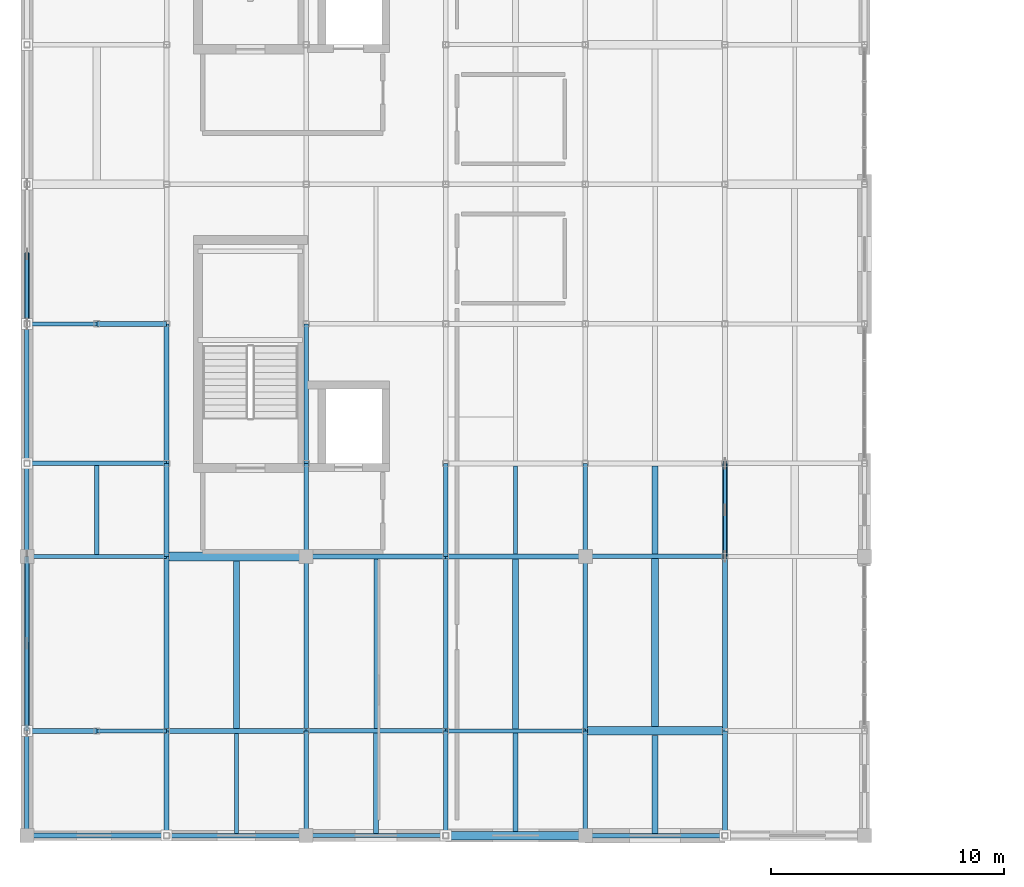
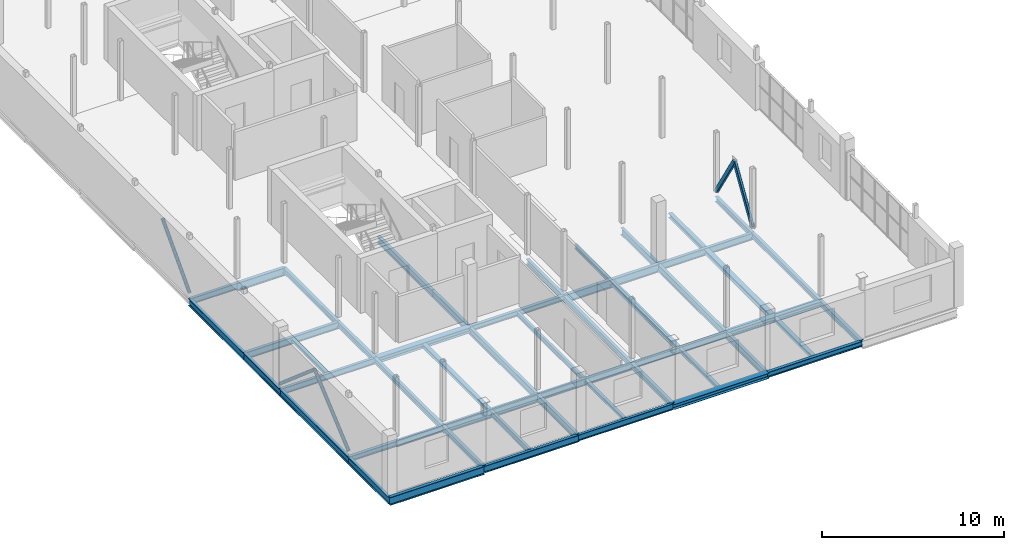
# One storey, part 11 of 35: 51 beams, 5 members.
"""IFC4 building model written with IfcOpenShell, lengths in metres."""

from ifc_helpers import new_model, si_unit, direction, frame, origin, origin_2d, place, context, subcontext, project, spatial, hollow_rectangle, hollow_circle, i_section, extrude, material, material_profile, profile_set, type_object, element, save


model = new_model("IFC4")

# Units and contexts
model_context = context("Model", 3, precision=1e-05, world=origin(), true_north=direction((0.0, 1.0)))
body_context = subcontext(model_context, "Body", "Model", "MODEL_VIEW")
ifc_project = project(units=[si_unit("LENGTHUNIT", "METRE"), si_unit("AREAUNIT", "SQUARE_METRE"), si_unit("VOLUMEUNIT", "CUBIC_METRE"), si_unit("PLANEANGLEUNIT", "RADIAN"), si_unit("MASSUNIT", "GRAM", prefix="KILO")], contexts=[model_context])

# Site, building, storey
site_placement = place(None, origin())
site = spatial("IfcSite", under=ifc_project, at=site_placement, CompositionType="ELEMENT")
building_placement = place(site_placement, origin())
building = spatial("IfcBuilding", under=site, at=building_placement, Name="Verrall Gate Interchange", CompositionType="ELEMENT")
storey_placement = place(building_placement, frame((0.0, 0.0, 15.39990234375)))
storey = spatial("IfcBuildingStorey", under=building, at=storey_placement, Name="L04", CompositionType="ELEMENT", Elevation=15.39990234375)

# Beams
ifc_material_1 = material(Name="Structural Steel CSA G40.21 350W", Category="steel")
ifc_material_profile_1 = material_profile(ifc_material_1, i_section(OverallWidth=0.2109375, OverallDepth=0.5390625, WebThickness=0.01171875, FlangeThickness=0.018798828125, FilletRadius=0.013916015625, at=origin_2d()), Name="W530x109")
ifc_profile_set_1 = profile_set([ifc_material_profile_1], Name="Structural Steel CSA G40.21 350W")
beam_type_1 = type_object("IfcBeamType", Name="B-10 Structural Beam W530x109", PredefinedType="BEAM", material=ifc_profile_set_1)
for number, where, z_axis, x_axis, name in (
    (1, (0.0, 0.0, -0.599365234375), (1.0, 0.0, 0.0), (0.0, 1.0, 0.0), "L04 Girder BM-L04-2515 (B-10)"),
    (2, (6.0, 4.5, -0.599365234375), (1.0, 0.0, 0.0), (0.0, 1.0, 0.0), "L04 Girder BM-L04-2523 (B-10)"),
    (3, (18.0, 12.0, -0.599365234375), (1.0, 0.0, 0.0), (0.0, 1.0, 0.0), "L04 Girder BM-L04-2531 (B-10)"),
):
    element("IfcBeam", number, at=place(storey_placement, frame(where, z_axis=z_axis, x_axis=x_axis)), inside=storey, type_object=beam_type_1, Name=name, PredefinedType="BEAM", context=body_context, shape_type="SweptSolid", body=[
        extrude(i_section(OverallWidth=0.2109375, OverallDepth=0.5390625, WebThickness=0.01171875, FlangeThickness=0.018798828125, FilletRadius=0.013916015625, at=origin_2d()), origin(), (0.0, 0.0, 1.0), 6.0),
    ])
beam_1_placement = place(storey_placement, frame((3.0, 22.0, -0.599365234375), z_axis=(1.0, 0.0, 0.0), x_axis=(0.0, 1.0, 0.0)))
element("IfcBeam", 4, at=beam_1_placement, inside=storey, type_object=beam_type_1, Name="L04 Girder BM-L04-2551 (B-10)", PredefinedType="BEAM", context=body_context, shape_type="SweptSolid", body=[
    extrude(i_section(OverallWidth=0.2109375, OverallDepth=0.5390625, WebThickness=0.01171875, FlangeThickness=0.018798828125, FilletRadius=0.013916015625, at=origin_2d()), origin(), (0.0, 0.0, 1.0), 3.0),
])
ifc_material_2 = material(Name="Structural Steel CSA G40.21 350W", Category="steel")
ifc_material_profile_2 = material_profile(ifc_material_2, i_section(OverallWidth=0.19189453125, OverallDepth=0.462890625, WebThickness=0.010498046875, FlangeThickness=0.017578125, FilletRadius=0.012939453125, at=origin_2d()), Name="W460x89")
ifc_profile_set_2 = profile_set([ifc_material_profile_2], Name="Structural Steel CSA G40.21 350W")
beam_type_2 = type_object("IfcBeamType", Name="B-11 Structural Beam W460x89", PredefinedType="BEAM", material=ifc_profile_set_2)
for number, where, z_axis, x_axis, name in (
    (5, (6.0, 0.0, -0.5615234375), (1.0, 0.0, 0.0), (0.0, 1.0, 0.0), "L04 Girder BM-L04-2516 (B-11)"),
    (6, (12.0, 4.5, -0.5615234375), (1.0, 0.0, 0.0), (0.0, 1.0, 0.0), "L04 Girder BM-L04-2524 (B-11)"),
    (7, (24.0, 12.0, -0.5615234375), (1.0, 0.0, 0.0), (0.0, 1.0, 0.0), "L04 Girder BM-L04-2532 (B-11)"),
    (8, (0.0, 16.0, -0.5615234375), (1.0, 0.0, 0.0), (0.0, 1.0, 0.0), "L04 Girder BM-L04-2540 (B-11)"),
):
    element("IfcBeam", number, at=place(storey_placement, frame(where, z_axis=z_axis, x_axis=x_axis)), inside=storey, type_object=beam_type_2, Name=name, PredefinedType="BEAM", context=body_context, shape_type="SweptSolid", body=[
        extrude(i_section(OverallWidth=0.19189453125, OverallDepth=0.462890625, WebThickness=0.010498046875, FlangeThickness=0.017578125, FilletRadius=0.012939453125, at=origin_2d()), origin(), (0.0, 0.0, 1.0), 6.0),
    ])
beam_2_placement = place(storey_placement, frame((0.0, 0.0, -0.5615234375), z_axis=(0.0, 1.0, 0.0), x_axis=(-1.0, 0.0, 0.0)))
element("IfcBeam", 9, at=beam_2_placement, inside=storey, type_object=beam_type_2, Name="L04 Girder BM-L04-2631 (B-11)", PredefinedType="BEAM", context=body_context, shape_type="SweptSolid", body=[
    extrude(i_section(OverallWidth=0.19189453125, OverallDepth=0.462890625, WebThickness=0.010498046875, FlangeThickness=0.017578125, FilletRadius=0.012939453125, at=origin_2d()), origin(), (0.0, 0.0, 1.0), 4.5),
])
beam_3_placement = place(storey_placement, frame((0.0, 4.5, -0.5615234375), z_axis=(0.0, 1.0, 0.0), x_axis=(-1.0, 0.0, 0.0)))
element("IfcBeam", 10, at=beam_3_placement, inside=storey, type_object=beam_type_2, Name="L04 Girder BM-L04-2632 (B-11)", PredefinedType="BEAM", context=body_context, shape_type="SweptSolid", body=[
    extrude(i_section(OverallWidth=0.19189453125, OverallDepth=0.462890625, WebThickness=0.010498046875, FlangeThickness=0.017578125, FilletRadius=0.012939453125, at=origin_2d()), origin(), (0.0, 0.0, 1.0), 7.5),
])
beam_4_placement = place(storey_placement, frame((0.0, 12.0, -0.5615234375), z_axis=(0.0, 1.0, 0.0), x_axis=(-1.0, 0.0, 0.0)))
element("IfcBeam", 11, at=beam_4_placement, inside=storey, type_object=beam_type_2, Name="L04 Girder BM-L04-2633 (B-11)", PredefinedType="BEAM", context=body_context, shape_type="SweptSolid", body=[
    extrude(i_section(OverallWidth=0.19189453125, OverallDepth=0.462890625, WebThickness=0.010498046875, FlangeThickness=0.017578125, FilletRadius=0.012939453125, at=origin_2d()), origin(), (0.0, 0.0, 1.0), 4.0),
])
beam_5_placement = place(storey_placement, frame((0.0, 16.0, -0.5615234375), z_axis=(0.0, 1.0, 0.0), x_axis=(-1.0, 0.0, 0.0)))
element("IfcBeam", 12, at=beam_5_placement, inside=storey, type_object=beam_type_2, Name="L04 Girder BM-L04-2634 (B-11)", PredefinedType="BEAM", context=body_context, shape_type="SweptSolid", body=[
    extrude(i_section(OverallWidth=0.19189453125, OverallDepth=0.462890625, WebThickness=0.010498046875, FlangeThickness=0.017578125, FilletRadius=0.012939453125, at=origin_2d()), origin(), (0.0, 0.0, 1.0), 6.0),
])
beam_6_placement = place(storey_placement, frame((12.0, 0.0, -0.5615234375), z_axis=(0.0, 1.0, 0.0), x_axis=(-1.0, 0.0, 0.0)))
element("IfcBeam", 13, at=beam_6_placement, inside=storey, type_object=beam_type_2, Name="L04 Girder BM-L04-2658 (B-11)", PredefinedType="BEAM", context=body_context, shape_type="SweptSolid", body=[
    extrude(i_section(OverallWidth=0.19189453125, OverallDepth=0.462890625, WebThickness=0.010498046875, FlangeThickness=0.017578125, FilletRadius=0.012939453125, at=origin_2d()), origin(), (0.0, 0.0, 1.0), 4.5),
])
beam_7_placement = place(storey_placement, frame((12.0, 4.5, -0.5615234375), z_axis=(0.0, 1.0, 0.0), x_axis=(-1.0, 0.0, 0.0)))
element("IfcBeam", 14, at=beam_7_placement, inside=storey, type_object=beam_type_2, Name="L04 Girder BM-L04-2659 (B-11)", PredefinedType="BEAM", context=body_context, shape_type="SweptSolid", body=[
    extrude(i_section(OverallWidth=0.19189453125, OverallDepth=0.462890625, WebThickness=0.010498046875, FlangeThickness=0.017578125, FilletRadius=0.012939453125, at=origin_2d()), origin(), (0.0, 0.0, 1.0), 7.5),
])
beam_8_placement = place(storey_placement, frame((12.0, 12.0, -0.5615234375), z_axis=(0.0, 1.0, 0.0), x_axis=(-1.0, 0.0, 0.0)))
element("IfcBeam", 15, at=beam_8_placement, inside=storey, type_object=beam_type_2, Name="L04 Girder BM-L04-2660 (B-11)", PredefinedType="BEAM", context=body_context, shape_type="SweptSolid", body=[
    extrude(i_section(OverallWidth=0.19189453125, OverallDepth=0.462890625, WebThickness=0.010498046875, FlangeThickness=0.017578125, FilletRadius=0.012939453125, at=origin_2d()), origin(), (0.0, 0.0, 1.0), 4.0),
])
beam_9_placement = place(storey_placement, frame((12.0, 16.0, -0.5615234375), z_axis=(0.0, 1.0, 0.0), x_axis=(-1.0, 0.0, 0.0)))
element("IfcBeam", 16, at=beam_9_placement, inside=storey, type_object=beam_type_2, Name="L04 Girder BM-L04-2661 (B-11)", PredefinedType="BEAM", context=body_context, shape_type="SweptSolid", body=[
    extrude(i_section(OverallWidth=0.19189453125, OverallDepth=0.462890625, WebThickness=0.010498046875, FlangeThickness=0.017578125, FilletRadius=0.012939453125, at=origin_2d()), origin(), (0.0, 0.0, 1.0), 6.0),
])
beam_10_placement = place(storey_placement, frame((24.0, 0.0, -0.5615234375), z_axis=(0.0, 1.0, 0.0), x_axis=(-1.0, 0.0, 0.0)))
element("IfcBeam", 17, at=beam_10_placement, inside=storey, type_object=beam_type_2, Name="L04 Girder BM-L04-2684 (B-11)", PredefinedType="BEAM", context=body_context, shape_type="SweptSolid", body=[
    extrude(i_section(OverallWidth=0.19189453125, OverallDepth=0.462890625, WebThickness=0.010498046875, FlangeThickness=0.017578125, FilletRadius=0.012939453125, at=origin_2d()), origin(), (0.0, 0.0, 1.0), 4.5),
])
beam_11_placement = place(storey_placement, frame((24.0, 4.5, -0.5615234375), z_axis=(0.0, 1.0, 0.0), x_axis=(-1.0, 0.0, 0.0)))
element("IfcBeam", 18, at=beam_11_placement, inside=storey, type_object=beam_type_2, Name="L04 Girder BM-L04-2685 (B-11)", PredefinedType="BEAM", context=body_context, shape_type="SweptSolid", body=[
    extrude(i_section(OverallWidth=0.19189453125, OverallDepth=0.462890625, WebThickness=0.010498046875, FlangeThickness=0.017578125, FilletRadius=0.012939453125, at=origin_2d()), origin(), (0.0, 0.0, 1.0), 7.5),
])
beam_12_placement = place(storey_placement, frame((24.0, 12.0, -0.5615234375), z_axis=(0.0, 1.0, 0.0), x_axis=(-1.0, 0.0, 0.0)))
element("IfcBeam", 19, at=beam_12_placement, inside=storey, type_object=beam_type_2, Name="L04 Girder BM-L04-2686 (B-11)", PredefinedType="BEAM", context=body_context, shape_type="SweptSolid", body=[
    extrude(i_section(OverallWidth=0.19189453125, OverallDepth=0.462890625, WebThickness=0.010498046875, FlangeThickness=0.017578125, FilletRadius=0.012939453125, at=origin_2d()), origin(), (0.0, 0.0, 1.0), 4.0),
])
ifc_material_3 = material(Name="Structural Steel CSA G40.21 350W", Category="steel")
ifc_material_profile_3 = material_profile(ifc_material_3, i_section(OverallWidth=0.178955078125, OverallDepth=0.409912109375, WebThickness=0.0087890625, FlangeThickness=0.014404296875, FilletRadius=0.011962890625, at=origin_2d()), Name="W410x67")
ifc_profile_set_3 = profile_set([ifc_material_profile_3], Name="Structural Steel CSA G40.21 350W")
beam_type_3 = type_object("IfcBeamType", Name="B-12 Structural Beam W410x67", PredefinedType="BEAM", material=ifc_profile_set_3)
beam_13_placement = place(storey_placement, frame((12.0, 0.0, -0.534912109375), z_axis=(1.0, 0.0, 0.0), x_axis=(0.0, 1.0, 0.0)))
element("IfcBeam", 20, at=beam_13_placement, inside=storey, type_object=beam_type_3, Name="L04 Girder BM-L04-2517 (B-12)", PredefinedType="BEAM", context=body_context, shape_type="SweptSolid", body=[
    extrude(i_section(OverallWidth=0.178955078125, OverallDepth=0.409912109375, WebThickness=0.0087890625, FlangeThickness=0.014404296875, FilletRadius=0.011962890625, at=origin_2d()), origin(), (0.0, 0.0, 1.0), 6.0),
])
beam_14_placement = place(storey_placement, frame((3.0, 4.5, -0.534912109375), z_axis=(1.0, 0.0, 0.0), x_axis=(0.0, 1.0, 0.0)))
element("IfcBeam", 21, at=beam_14_placement, inside=storey, type_object=beam_type_3, Name="L04 Girder BM-L04-2522 (B-12)", PredefinedType="BEAM", context=body_context, shape_type="SweptSolid", body=[
    extrude(i_section(OverallWidth=0.178955078125, OverallDepth=0.409912109375, WebThickness=0.0087890625, FlangeThickness=0.014404296875, FilletRadius=0.011962890625, at=origin_2d()), origin(), (0.0, 0.0, 1.0), 3.0),
])
for number, where, z_axis, x_axis, name in (
    (22, (18.0, 4.5, -0.534912109375), (1.0, 0.0, 0.0), (0.0, 1.0, 0.0), "L04 Girder BM-L04-2525 (B-12)"),
    (23, (0.0, 12.0, -0.534912109375), (1.0, 0.0, 0.0), (0.0, 1.0, 0.0), "L04 Girder BM-L04-2528 (B-12)"),
):
    element("IfcBeam", number, at=place(storey_placement, frame(where, z_axis=z_axis, x_axis=x_axis)), inside=storey, type_object=beam_type_3, Name=name, PredefinedType="BEAM", context=body_context, shape_type="SweptSolid", body=[
        extrude(i_section(OverallWidth=0.178955078125, OverallDepth=0.409912109375, WebThickness=0.0087890625, FlangeThickness=0.014404296875, FilletRadius=0.011962890625, at=origin_2d()), origin(), (0.0, 0.0, 1.0), 6.0),
    ])
beam_15_placement = place(storey_placement, frame((0.0, 22.0, -0.534912109375), z_axis=(1.0, 0.0, 0.0), x_axis=(0.0, 1.0, 0.0)))
element("IfcBeam", 24, at=beam_15_placement, inside=storey, type_object=beam_type_3, Name="L04 Girder BM-L04-2550 (B-12)", PredefinedType="BEAM", context=body_context, shape_type="SweptSolid", body=[
    extrude(i_section(OverallWidth=0.178955078125, OverallDepth=0.409912109375, WebThickness=0.0087890625, FlangeThickness=0.014404296875, FilletRadius=0.011962890625, at=origin_2d()), origin(), (0.0, 0.0, 1.0), 3.0),
])
ifc_material_4 = material(Name="Structural Steel CSA G40.21 350W", Category="steel")
ifc_material_profile_4 = material_profile(ifc_material_4, i_section(OverallWidth=0.368896484375, OverallDepth=0.35595703125, WebThickness=0.01123046875, FlangeThickness=0.01806640625, FilletRadius=0.014892578125, at=origin_2d()), Name="W360x134")
ifc_profile_set_4 = profile_set([ifc_material_profile_4], Name="Structural Steel CSA G40.21 350W")
beam_type_4 = type_object("IfcBeamType", Name="B-13 Structural Beam W360x134", PredefinedType="BEAM", material=ifc_profile_set_4)
for number, where, z_axis, x_axis, name in (
    (25, (18.0, 0.0, -0.5078125), (1.0, 0.0, 0.0), (0.0, 1.0, 0.0), "L04 Girder BM-L04-2518 (B-13)"),
    (26, (24.0, 4.5, -0.5078125), (1.0, 0.0, 0.0), (0.0, 1.0, 0.0), "L04 Girder BM-L04-2526 (B-13)"),
    (27, (6.0, 12.0, -0.5078125), (1.0, 0.0, 0.0), (0.0, 1.0, 0.0), "L04 Girder BM-L04-2529 (B-13)"),
):
    element("IfcBeam", number, at=place(storey_placement, frame(where, z_axis=z_axis, x_axis=x_axis)), inside=storey, type_object=beam_type_4, Name=name, PredefinedType="BEAM", context=body_context, shape_type="SweptSolid", body=[
        extrude(i_section(OverallWidth=0.368896484375, OverallDepth=0.35595703125, WebThickness=0.01123046875, FlangeThickness=0.01806640625, FilletRadius=0.014892578125, at=origin_2d()), origin(), (0.0, 0.0, 1.0), 6.0),
    ])
ifc_material_5 = material(Name="Structural Steel CSA G40.21 350W", Category="steel")
ifc_material_profile_5 = material_profile(ifc_material_5, i_section(OverallWidth=0.205078125, OverallDepth=0.35400390625, WebThickness=0.009521484375, FlangeThickness=0.016845703125, FilletRadius=0.012939453125, at=origin_2d()), Name="W360x79")
ifc_profile_set_5 = profile_set([ifc_material_profile_5], Name="Structural Steel CSA G40.21 350W")
beam_type_5 = type_object("IfcBeamType", Name="B-14 Structural Beam W360x79", PredefinedType="BEAM", material=ifc_profile_set_5)
beam_16_placement = place(storey_placement, frame((24.0, 0.0, -0.5068359375), z_axis=(1.0, 0.0, 0.0), x_axis=(0.0, 1.0, 0.0)))
element("IfcBeam", 28, at=beam_16_placement, inside=storey, type_object=beam_type_5, Name="L04 Girder BM-L04-2519 (B-14)", PredefinedType="BEAM", context=body_context, shape_type="SweptSolid", body=[
    extrude(i_section(OverallWidth=0.205078125, OverallDepth=0.35400390625, WebThickness=0.009521484375, FlangeThickness=0.016845703125, FilletRadius=0.012939453125, at=origin_2d()), origin(), (0.0, 0.0, 1.0), 6.0),
])
beam_17_placement = place(storey_placement, frame((0.0, 4.5, -0.5068359375), z_axis=(1.0, 0.0, 0.0), x_axis=(0.0, 1.0, 0.0)))
element("IfcBeam", 29, at=beam_17_placement, inside=storey, type_object=beam_type_5, Name="L04 Girder BM-L04-2521 (B-14)", PredefinedType="BEAM", context=body_context, shape_type="SweptSolid", body=[
    extrude(i_section(OverallWidth=0.205078125, OverallDepth=0.35400390625, WebThickness=0.009521484375, FlangeThickness=0.016845703125, FilletRadius=0.012939453125, at=origin_2d()), origin(), (0.0, 0.0, 1.0), 3.0),
])
beam_18_placement = place(storey_placement, frame((12.0, 12.0, -0.5068359375), z_axis=(1.0, 0.0, 0.0), x_axis=(0.0, 1.0, 0.0)))
element("IfcBeam", 30, at=beam_18_placement, inside=storey, type_object=beam_type_5, Name="L04 Girder BM-L04-2530 (B-14)", PredefinedType="BEAM", context=body_context, shape_type="SweptSolid", body=[
    extrude(i_section(OverallWidth=0.205078125, OverallDepth=0.35400390625, WebThickness=0.009521484375, FlangeThickness=0.016845703125, FilletRadius=0.012939453125, at=origin_2d()), origin(), (0.0, 0.0, 1.0), 6.0),
])
beam_19_placement = place(storey_placement, frame((6.0, 0.0, -0.5068359375), z_axis=(0.0, 1.0, 0.0), x_axis=(-1.0, 0.0, 0.0)))
element("IfcBeam", 31, at=beam_19_placement, inside=storey, type_object=beam_type_5, Name="L04 Girder BM-L04-2645 (B-14)", PredefinedType="BEAM", context=body_context, shape_type="SweptSolid", body=[
    extrude(i_section(OverallWidth=0.205078125, OverallDepth=0.35400390625, WebThickness=0.009521484375, FlangeThickness=0.016845703125, FilletRadius=0.012939453125, at=origin_2d()), origin(), (0.0, 0.0, 1.0), 4.5),
])
beam_20_placement = place(storey_placement, frame((6.0, 4.5, -0.5068359375), z_axis=(0.0, 1.0, 0.0), x_axis=(-1.0, 0.0, 0.0)))
element("IfcBeam", 32, at=beam_20_placement, inside=storey, type_object=beam_type_5, Name="L04 Girder BM-L04-2646 (B-14)", PredefinedType="BEAM", context=body_context, shape_type="SweptSolid", body=[
    extrude(i_section(OverallWidth=0.205078125, OverallDepth=0.35400390625, WebThickness=0.009521484375, FlangeThickness=0.016845703125, FilletRadius=0.012939453125, at=origin_2d()), origin(), (0.0, 0.0, 1.0), 7.5),
])
beam_21_placement = place(storey_placement, frame((6.0, 12.0, -0.5068359375), z_axis=(0.0, 1.0, 0.0), x_axis=(-1.0, 0.0, 0.0)))
element("IfcBeam", 33, at=beam_21_placement, inside=storey, type_object=beam_type_5, Name="L04 Girder BM-L04-2647 (B-14)", PredefinedType="BEAM", context=body_context, shape_type="SweptSolid", body=[
    extrude(i_section(OverallWidth=0.205078125, OverallDepth=0.35400390625, WebThickness=0.009521484375, FlangeThickness=0.016845703125, FilletRadius=0.012939453125, at=origin_2d()), origin(), (0.0, 0.0, 1.0), 4.0),
])
beam_22_placement = place(storey_placement, frame((6.0, 16.0, -0.5068359375), z_axis=(0.0, 1.0, 0.0), x_axis=(-1.0, 0.0, 0.0)))
element("IfcBeam", 34, at=beam_22_placement, inside=storey, type_object=beam_type_5, Name="L04 Girder BM-L04-2648 (B-14)", PredefinedType="BEAM", context=body_context, shape_type="SweptSolid", body=[
    extrude(i_section(OverallWidth=0.205078125, OverallDepth=0.35400390625, WebThickness=0.009521484375, FlangeThickness=0.016845703125, FilletRadius=0.012939453125, at=origin_2d()), origin(), (0.0, 0.0, 1.0), 6.0),
])
beam_23_placement = place(storey_placement, frame((18.0, 0.0, -0.5068359375), z_axis=(0.0, 1.0, 0.0), x_axis=(-1.0, 0.0, 0.0)))
element("IfcBeam", 35, at=beam_23_placement, inside=storey, type_object=beam_type_5, Name="L04 Girder BM-L04-2671 (B-14)", PredefinedType="BEAM", context=body_context, shape_type="SweptSolid", body=[
    extrude(i_section(OverallWidth=0.205078125, OverallDepth=0.35400390625, WebThickness=0.009521484375, FlangeThickness=0.016845703125, FilletRadius=0.012939453125, at=origin_2d()), origin(), (0.0, 0.0, 1.0), 4.5),
])
beam_24_placement = place(storey_placement, frame((18.0, 4.5, -0.5068359375), z_axis=(0.0, 1.0, 0.0), x_axis=(-1.0, 0.0, 0.0)))
element("IfcBeam", 36, at=beam_24_placement, inside=storey, type_object=beam_type_5, Name="L04 Girder BM-L04-2672 (B-14)", PredefinedType="BEAM", context=body_context, shape_type="SweptSolid", body=[
    extrude(i_section(OverallWidth=0.205078125, OverallDepth=0.35400390625, WebThickness=0.009521484375, FlangeThickness=0.016845703125, FilletRadius=0.012939453125, at=origin_2d()), origin(), (0.0, 0.0, 1.0), 7.5),
])
beam_25_placement = place(storey_placement, frame((18.0, 12.0, -0.5068359375), z_axis=(0.0, 1.0, 0.0), x_axis=(-1.0, 0.0, 0.0)))
element("IfcBeam", 37, at=beam_25_placement, inside=storey, type_object=beam_type_5, Name="L04 Girder BM-L04-2673 (B-14)", PredefinedType="BEAM", context=body_context, shape_type="SweptSolid", body=[
    extrude(i_section(OverallWidth=0.205078125, OverallDepth=0.35400390625, WebThickness=0.009521484375, FlangeThickness=0.016845703125, FilletRadius=0.012939453125, at=origin_2d()), origin(), (0.0, 0.0, 1.0), 4.0),
])
beam_26_placement = place(storey_placement, frame((30.0, 0.0, -0.5068359375), z_axis=(0.0, 1.0, 0.0), x_axis=(-1.0, 0.0, 0.0)))
element("IfcBeam", 38, at=beam_26_placement, inside=storey, type_object=beam_type_5, Name="L04 Girder BM-L04-2697 (B-14)", PredefinedType="BEAM", context=body_context, shape_type="SweptSolid", body=[
    extrude(i_section(OverallWidth=0.205078125, OverallDepth=0.35400390625, WebThickness=0.009521484375, FlangeThickness=0.016845703125, FilletRadius=0.012939453125, at=origin_2d()), origin(), (0.0, 0.0, 1.0), 4.5),
])
beam_27_placement = place(storey_placement, frame((30.0, 4.5, -0.5068359375), z_axis=(0.0, 1.0, 0.0), x_axis=(-1.0, 0.0, 0.0)))
element("IfcBeam", 39, at=beam_27_placement, inside=storey, type_object=beam_type_5, Name="L04 Girder BM-L04-2698 (B-14)", PredefinedType="BEAM", context=body_context, shape_type="SweptSolid", body=[
    extrude(i_section(OverallWidth=0.205078125, OverallDepth=0.35400390625, WebThickness=0.009521484375, FlangeThickness=0.016845703125, FilletRadius=0.012939453125, at=origin_2d()), origin(), (0.0, 0.0, 1.0), 7.5),
])
beam_28_placement = place(storey_placement, frame((30.0, 12.0, -0.5068359375), z_axis=(0.0, 1.0, 0.0), x_axis=(-1.0, 0.0, 0.0)))
element("IfcBeam", 40, at=beam_28_placement, inside=storey, type_object=beam_type_5, Name="L04 Girder BM-L04-2699 (B-14)", PredefinedType="BEAM", context=body_context, shape_type="SweptSolid", body=[
    extrude(i_section(OverallWidth=0.205078125, OverallDepth=0.35400390625, WebThickness=0.009521484375, FlangeThickness=0.016845703125, FilletRadius=0.012939453125, at=origin_2d()), origin(), (0.0, 0.0, 1.0), 4.0),
])

# Members
ifc_material_6 = material(Name="Structural Steel CSA G40.21 350W", Category="steel")
ifc_material_profile_6 = material_profile(ifc_material_6, hollow_circle(Radius=0.109619140625, WallThickness=0.008056640625, at=origin_2d()), Name="HSS219x8.0")
ifc_profile_set_6 = profile_set([ifc_material_profile_6], Name="Structural Steel CSA G40.21 350W")
member_type_1 = type_object("IfcMemberType", Name="BR-02 Diagonal Brace HSS219x8.0", PredefinedType="BRACE", material=ifc_profile_set_6)
for number, where, z_axis, x_axis, name in (
    (41, (0.0, 4.5, 0.0), (0.0, 0.758663581556, 0.651482593797), (-1.0, 0.0, 0.0), "Chevron Brace CBF1 L04 Leg A"),
    (42, (0.0, 12.0, 0.0), (0.0, -0.758663581556, 0.651482593797), (1.0, 0.0, 0.0), "Chevron Brace CBF1 L04 Leg B"),
):
    element("IfcMember", number, at=place(storey_placement, frame(where, z_axis=z_axis, x_axis=x_axis)), inside=storey, type_object=member_type_1, Name=name, PredefinedType="BRACE", context=body_context, shape_type="SweptSolid", body=[
        extrude(hollow_circle(Radius=0.109619140625, WallThickness=0.008056640625, at=origin_2d()), origin(), (0.0, 0.0, 1.0), 4.94287109375),
    ])
member_placement = place(storey_placement, frame((0.0, 22.0, 0.0), z_axis=(0.0, 0.681645967553, 0.731682154299), x_axis=(-1.0, 0.0, 0.0)))
element("IfcMember", 43, at=member_placement, inside=storey, type_object=member_type_1, Name="Chevron Brace CBF2 L04 Leg A", PredefinedType="BRACE", context=body_context, shape_type="SweptSolid", body=[
    extrude(hollow_circle(Radius=0.109619140625, WallThickness=0.008056640625, at=origin_2d()), origin(), (0.0, 0.0, 1.0), 4.401123046875),
])
ifc_material_7 = material(Name="Structural Steel CSA G40.21 350W", Category="steel")
ifc_material_profile_7 = material_profile(ifc_material_7, hollow_rectangle(XDim=0.152099609375, YDim=0.25390625, WallThickness=0.009521484375, InnerFilletRadius=0.009521484375, OuterFilletRadius=0.01904296875, at=origin_2d()), Name="HSS254x152x9.5")
ifc_profile_set_7 = profile_set([ifc_material_profile_7], Name="Structural Steel CSA G40.21 350W")
member_type_2 = type_object("IfcMemberType", Name="BR-05 Diagonal Brace HSS254x152x9.5", PredefinedType="BRACE", material=ifc_profile_set_7)
for number, where, z_axis, x_axis, name in (
    (44, (30.0, 12.0, 0.0), (0.0, 0.527600114435, 0.849492860034), (-1.0, 0.0, 0.0), "Chevron Brace CBF5 L04 Leg A"),
    (45, (30.0, 16.0, 0.0), (0.0, -0.527600114435, 0.849492860034), (1.0, 0.0, 0.0), "Chevron Brace CBF5 L04 Leg B"),
):
    element("IfcMember", number, at=place(storey_placement, frame(where, z_axis=z_axis, x_axis=x_axis)), inside=storey, type_object=member_type_2, Name=name, PredefinedType="BRACE", context=body_context, shape_type="SweptSolid", body=[
        extrude(hollow_rectangle(XDim=0.152099609375, YDim=0.25390625, WallThickness=0.009521484375, InnerFilletRadius=0.009521484375, OuterFilletRadius=0.01904296875, at=origin_2d()), origin(), (0.0, 0.0, 1.0), 3.790771484375),
    ])

# Beams
ifc_material_8 = material(Name="Structural Steel CSA G40.21 350W", Category="steel")
ifc_material_profile_8 = material_profile(ifc_material_8, i_section(OverallWidth=0.172119140625, OverallDepth=0.35791015625, WebThickness=0.0078125, FlangeThickness=0.01318359375, FilletRadius=0.010986328125, at=origin_2d()), Name="W360x57")
ifc_profile_set_8 = profile_set([ifc_material_profile_8], Name="Structural Steel CSA G40.21 350W")
beam_type_6 = type_object("IfcBeamType", Name="J-01 Floor Joist W360x57", PredefinedType="JOIST", material=ifc_profile_set_8)
beam_29_placement = place(storey_placement, frame((9.0, 0.095947265625, -0.5087890625), z_axis=(0.0, 1.0, 0.0), x_axis=(-1.0, 0.0, 0.0)))
element("IfcBeam", 46, at=beam_29_placement, inside=storey, type_object=beam_type_6, Name="L04 Secondary Floor Joist JST-L04-2765", PredefinedType="JOIST", context=body_context, shape_type="SweptSolid", body=[
    extrude(i_section(OverallWidth=0.172119140625, OverallDepth=0.35791015625, WebThickness=0.0078125, FlangeThickness=0.01318359375, FilletRadius=0.010986328125, at=origin_2d()), origin(), (0.0, 0.0, 1.0), 4.298583984375),
])
ifc_material_9 = material(Name="Structural Steel CSA G40.21 350W", Category="steel")
ifc_material_profile_9 = material_profile(ifc_material_9, i_section(OverallWidth=0.306884765625, OverallDepth=0.31396484375, WebThickness=0.011962890625, FlangeThickness=0.018798828125, FilletRadius=0.013916015625, at=origin_2d()), Name="W310x118")
ifc_profile_set_9 = profile_set([ifc_material_profile_9], Name="Structural Steel CSA G40.21 350W")
beam_type_7 = type_object("IfcBeamType", Name="J-02 Floor Joist W310x118", PredefinedType="JOIST", material=ifc_profile_set_9)
beam_30_placement = place(storey_placement, frame((27.0, 4.6845703125, -0.48681640625), z_axis=(0.0, 1.0, 0.0), x_axis=(-1.0, 0.0, 0.0)))
element("IfcBeam", 47, at=beam_30_placement, inside=storey, type_object=beam_type_7, Name="L04 Secondary Floor Joist JST-L04-2773", PredefinedType="JOIST", context=body_context, shape_type="SweptSolid", body=[
    extrude(i_section(OverallWidth=0.306884765625, OverallDepth=0.31396484375, WebThickness=0.011962890625, FlangeThickness=0.018798828125, FilletRadius=0.013916015625, at=origin_2d()), origin(), (0.0, 0.0, 1.0), 7.219482421875),
])
ifc_material_10 = material(Name="Structural Steel CSA G40.21 350W", Category="steel")
ifc_material_profile_10 = material_profile(ifc_material_10, i_section(OverallWidth=0.25390625, OverallDepth=0.305908203125, WebThickness=0.0087890625, FlangeThickness=0.0146484375, FilletRadius=0.012939453125, at=origin_2d()), Name="W310x79")
ifc_profile_set_10 = profile_set([ifc_material_profile_10], Name="Structural Steel CSA G40.21 350W")
beam_type_8 = type_object("IfcBeamType", Name="J-03 Floor Joist W310x79", PredefinedType="JOIST", material=ifc_profile_set_10)
beam_31_placement = place(storey_placement, frame((21.0, 4.589599609375, -0.48291015625), z_axis=(0.0, 1.0, 0.0), x_axis=(-1.0, 0.0, 0.0)))
element("IfcBeam", 48, at=beam_31_placement, inside=storey, type_object=beam_type_8, Name="L04 Secondary Floor Joist JST-L04-2772", PredefinedType="JOIST", context=body_context, shape_type="SweptSolid", body=[
    extrude(i_section(OverallWidth=0.25390625, OverallDepth=0.305908203125, WebThickness=0.0087890625, FlangeThickness=0.0146484375, FilletRadius=0.012939453125, at=origin_2d()), origin(), (0.0, 0.0, 1.0), 7.304931640625),
])
beam_32_placement = place(storey_placement, frame((27.0, 12.095947265625, -0.48291015625), z_axis=(0.0, 1.0, 0.0), x_axis=(-1.0, 0.0, 0.0)))
element("IfcBeam", 49, at=beam_32_placement, inside=storey, type_object=beam_type_8, Name="L04 Secondary Floor Joist JST-L04-2777", PredefinedType="JOIST", context=body_context, shape_type="SweptSolid", body=[
    extrude(i_section(OverallWidth=0.25390625, OverallDepth=0.305908203125, WebThickness=0.0087890625, FlangeThickness=0.0146484375, FilletRadius=0.012939453125, at=origin_2d()), origin(), (0.0, 0.0, 1.0), 3.798583984375),
])
ifc_material_11 = material(Name="Structural Steel CSA G40.21 350W", Category="steel")
ifc_material_profile_11 = material_profile(ifc_material_11, i_section(OverallWidth=0.1650390625, OverallDepth=0.31005859375, WebThickness=0.005859375, FlangeThickness=0.009765625, FilletRadius=0.010009765625, at=origin_2d()), Name="W310x39")
ifc_profile_set_11 = profile_set([ifc_material_profile_11], Name="Structural Steel CSA G40.21 350W")
beam_type_9 = type_object("IfcBeamType", Name="J-04 Floor Joist W310x39", PredefinedType="JOIST", material=ifc_profile_set_11)
beam_33_placement = place(storey_placement, frame((15.0, 4.595947265625, -0.48486328125), z_axis=(0.0, 1.0, 0.0), x_axis=(-1.0, 0.0, 0.0)))
element("IfcBeam", 50, at=beam_33_placement, inside=storey, type_object=beam_type_9, Name="L04 Secondary Floor Joist JST-L04-2771", PredefinedType="JOIST", context=body_context, shape_type="SweptSolid", body=[
    extrude(i_section(OverallWidth=0.1650390625, OverallDepth=0.31005859375, WebThickness=0.005859375, FlangeThickness=0.009765625, FilletRadius=0.010009765625, at=origin_2d()), origin(), (0.0, 0.0, 1.0), 7.301513671875),
])
beam_34_placement = place(storey_placement, frame((21.0, 12.10546875, -0.48486328125), z_axis=(0.0, 1.0, 0.0), x_axis=(-1.0, 0.0, 0.0)))
element("IfcBeam", 51, at=beam_34_placement, inside=storey, type_object=beam_type_9, Name="L04 Secondary Floor Joist JST-L04-2776", PredefinedType="JOIST", context=body_context, shape_type="SweptSolid", body=[
    extrude(i_section(OverallWidth=0.1650390625, OverallDepth=0.31005859375, WebThickness=0.005859375, FlangeThickness=0.009765625, FilletRadius=0.010009765625, at=origin_2d()), origin(), (0.0, 0.0, 1.0), 3.7919921875),
])
ifc_material_12 = material(Name="Structural Steel CSA G40.21 350W", Category="steel")
ifc_material_profile_12 = material_profile(ifc_material_12, i_section(OverallWidth=0.25390625, OverallDepth=0.2529296875, WebThickness=0.008544921875, FlangeThickness=0.01416015625, FilletRadius=0.011962890625, at=origin_2d()), Name="W250x73")
ifc_profile_set_12 = profile_set([ifc_material_profile_12], Name="Structural Steel CSA G40.21 350W")
beam_type_10 = type_object("IfcBeamType", Name="J-05 Floor Joist W250x73", PredefinedType="JOIST", material=ifc_profile_set_12)
beam_35_placement = place(storey_placement, frame((27.0, 0.1025390625, -0.456298828125), z_axis=(0.0, 1.0, 0.0), x_axis=(-1.0, 0.0, 0.0)))
element("IfcBeam", 52, at=beam_35_placement, inside=storey, type_object=beam_type_10, Name="L04 Secondary Floor Joist JST-L04-2768", PredefinedType="JOIST", context=body_context, shape_type="SweptSolid", body=[
    extrude(i_section(OverallWidth=0.25390625, OverallDepth=0.2529296875, WebThickness=0.008544921875, FlangeThickness=0.01416015625, FilletRadius=0.011962890625, at=origin_2d()), origin(), (0.0, 0.0, 1.0), 4.212890625),
])
beam_36_placement = place(storey_placement, frame((9.0, 4.60546875, -0.456298828125), z_axis=(0.0, 1.0, 0.0), x_axis=(-1.0, 0.0, 0.0)))
element("IfcBeam", 53, at=beam_36_placement, inside=storey, type_object=beam_type_10, Name="L04 Secondary Floor Joist JST-L04-2770", PredefinedType="JOIST", context=body_context, shape_type="SweptSolid", body=[
    extrude(i_section(OverallWidth=0.25390625, OverallDepth=0.2529296875, WebThickness=0.008544921875, FlangeThickness=0.01416015625, FilletRadius=0.011962890625, at=origin_2d()), origin(), (0.0, 0.0, 1.0), 7.2099609375),
])
ifc_material_13 = material(Name="Structural Steel CSA G40.21 350W", Category="steel")
ifc_material_profile_13 = material_profile(ifc_material_13, i_section(OverallWidth=0.201904296875, OverallDepth=0.2470703125, WebThickness=0.00732421875, FlangeThickness=0.010986328125, FilletRadius=0.010986328125, at=origin_2d()), Name="W250x49")
ifc_profile_set_13 = profile_set([ifc_material_profile_13], Name="Structural Steel CSA G40.21 350W")
beam_type_11 = type_object("IfcBeamType", Name="J-06 Floor Joist W250x49", PredefinedType="JOIST", material=ifc_profile_set_13)
beam_37_placement = place(storey_placement, frame((21.0, 0.1845703125, -0.453369140625), z_axis=(0.0, 1.0, 0.0), x_axis=(-1.0, 0.0, 0.0)))
element("IfcBeam", 54, at=beam_37_placement, inside=storey, type_object=beam_type_11, Name="L04 Secondary Floor Joist JST-L04-2767", PredefinedType="JOIST", context=body_context, shape_type="SweptSolid", body=[
    extrude(i_section(OverallWidth=0.201904296875, OverallDepth=0.2470703125, WebThickness=0.00732421875, FlangeThickness=0.010986328125, FilletRadius=0.010986328125, at=origin_2d()), origin(), (0.0, 0.0, 1.0), 4.225830078125),
])
ifc_material_14 = material(Name="Structural Steel CSA G40.21 350W", Category="steel")
ifc_material_profile_14 = material_profile(ifc_material_14, i_section(OverallWidth=0.202880859375, OverallDepth=0.202880859375, WebThickness=0.007080078125, FlangeThickness=0.010986328125, FilletRadius=0.010009765625, at=origin_2d()), Name="W200x46")
ifc_profile_set_14 = profile_set([ifc_material_profile_14], Name="Structural Steel CSA G40.21 350W")
beam_type_12 = type_object("IfcBeamType", Name="J-07 Floor Joist W200x46", PredefinedType="JOIST", material=ifc_profile_set_14)
beam_38_placement = place(storey_placement, frame((15.0, 0.089599609375, -0.431396484375), z_axis=(0.0, 1.0, 0.0), x_axis=(-1.0, 0.0, 0.0)))
element("IfcBeam", 55, at=beam_38_placement, inside=storey, type_object=beam_type_12, Name="L04 Secondary Floor Joist JST-L04-2766", PredefinedType="JOIST", context=body_context, shape_type="SweptSolid", body=[
    extrude(i_section(OverallWidth=0.202880859375, OverallDepth=0.202880859375, WebThickness=0.007080078125, FlangeThickness=0.010986328125, FilletRadius=0.010009765625, at=origin_2d()), origin(), (0.0, 0.0, 1.0), 4.314453125),
])
beam_39_placement = place(storey_placement, frame((3.0, 12.089599609375, -0.431396484375), z_axis=(0.0, 1.0, 0.0), x_axis=(-1.0, 0.0, 0.0)))
element("IfcBeam", 56, at=beam_39_placement, inside=storey, type_object=beam_type_12, Name="L04 Secondary Floor Joist JST-L04-2775", PredefinedType="JOIST", context=body_context, shape_type="SweptSolid", body=[
    extrude(i_section(OverallWidth=0.202880859375, OverallDepth=0.202880859375, WebThickness=0.007080078125, FlangeThickness=0.010986328125, FilletRadius=0.010009765625, at=origin_2d()), origin(), (0.0, 0.0, 1.0), 3.814453125),
])

save(model, "model.ifc")
